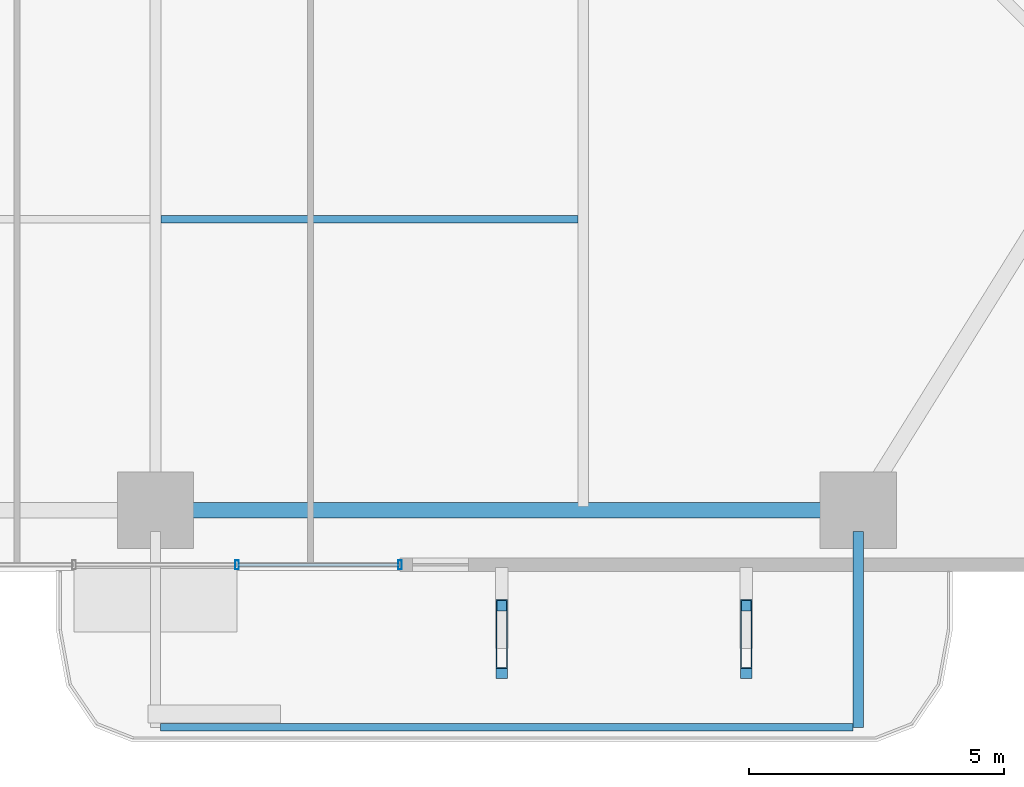
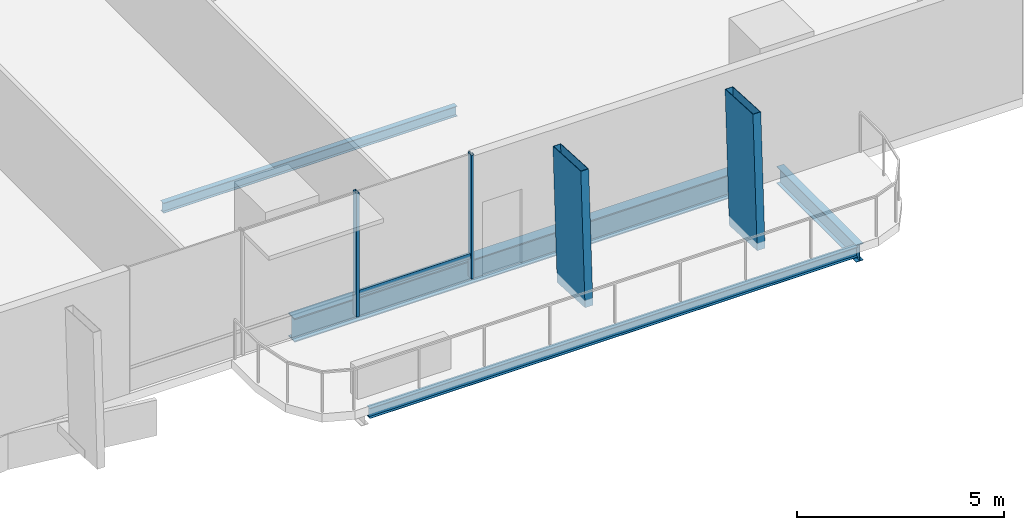
# One storey, part 6 of 24: 5 members, 4 beams, 1 element without a shape of its own.
"""IFC4 building model written with IfcOpenShell, lengths in metres."""

from ifc_helpers import new_model, si_unit, direction, frame, origin, origin_2d, place, context, subcontext, project, spatial, hollow_rectangle, i_section, extrude, material, layer, layer_set, material_profile, profile_set, type_object, element, aggregate, save


model = new_model("IFC4")

# Units and contexts
model_context = context("Model", 3, precision=1e-05, world=origin(), true_north=direction((0.0, 1.0)))
body_context = subcontext(model_context, "Body", "Model", "MODEL_VIEW")
ifc_project = project(units=[si_unit("LENGTHUNIT", "METRE"), si_unit("AREAUNIT", "SQUARE_METRE"), si_unit("VOLUMEUNIT", "CUBIC_METRE"), si_unit("PLANEANGLEUNIT", "RADIAN"), si_unit("MASSUNIT", "GRAM", prefix="KILO")], contexts=[model_context])

# Site, building, storey
site_placement = place(None, origin())
site = spatial("IfcSite", under=ifc_project, at=site_placement, CompositionType="ELEMENT")
building_placement = place(site_placement, origin())
building = spatial("IfcBuilding", under=site, at=building_placement, Name="Belovzor Exchange Tower", CompositionType="ELEMENT")
storey_placement = place(building_placement, frame((0.0, 0.0, 69.0)))
storey = spatial("IfcBuildingStorey", under=building, at=storey_placement, Name="L16", CompositionType="ELEMENT", Elevation=69.0)

# Members
ifc_material_1 = material(Name="Extruded Architectural Terracotta on Steel S355 Carrier", Category="masonry")
ifc_material_profile_1 = material_profile(ifc_material_1, hollow_rectangle(XDim=0.219970703125, YDim=1.35009765625, WallThickness=0.013916015625, at=origin_2d()))
ifc_profile_set_1 = profile_set([ifc_material_profile_1], Name="Extruded Architectural Terracotta on Steel S355 Carrier")
member_type_1 = type_object("IfcMemberType", Name="Base Arc Sweeping Terracotta Pylon Fin 1450", PredefinedType="USERDEFINED", material=ifc_profile_set_1)
for number, where, z_axis, x_axis, name in (
    (1, (35.60009765625, -0.531982421875, -0.25), (0.0, 0.052512896371, 0.998620245997), (-1.0, 0.0, 0.0), "FIN-TC145 Terracotta Facade Fin L16 S3"),
    (2, (40.39990234375, -0.531982421875, -0.25), (0.0, 0.052512896371, 0.998620245997), (-1.0, 0.0, 0.0), "FIN-TC145 Terracotta Facade Fin L16 S4"),
):
    element("IfcMember", number, at=place(storey_placement, frame(where, z_axis=z_axis, x_axis=x_axis)), inside=storey, type_object=member_type_1, Name=name, ObjectType="FIN", PredefinedType="USERDEFINED", context=body_context, shape_type="SweptSolid", body=[
        extrude(hollow_rectangle(XDim=0.219970703125, YDim=1.35009765625, WallThickness=0.013916015625, at=origin_2d()), origin(), (0.0, 0.0, 1.0), 3.9052734375),
    ])

# Beams
ifc_material_2 = material(Name="Steel S355", Category="steel")
ifc_material_profile_2 = material_profile(ifc_material_2, i_section(OverallWidth=0.199951171875, OverallDepth=0.5, WebThickness=0.01025390625, FlangeThickness=0.01611328125, at=origin_2d()))
ifc_profile_set_2 = profile_set([ifc_material_profile_2], Name="Steel S355")
beam_type_1 = type_object("IfcBeamType", Name="Planted Balcony Cantilever Beam IPE 500", PredefinedType="BEAM", material=ifc_profile_set_2)
beam_1_placement = place(storey_placement, frame((42.60009765625, 1.68798828125, -0.5), z_axis=(0.0, -1.0, 0.0), x_axis=(1.0, 0.0, 0.0)))
element("IfcBeam", 3, at=beam_1_placement, inside=storey, type_object=beam_type_1, Name="BC-500 Planted Balcony Cantilever Beam IPE 500", PredefinedType="BEAM", context=body_context, shape_type="SweptSolid", body=[
    extrude(i_section(OverallWidth=0.199951171875, OverallDepth=0.5, WebThickness=0.01025390625, FlangeThickness=0.01611328125, at=origin_2d()), origin(), (0.0, 0.0, 1.0), 3.85009765625),
])
ifc_material_3 = material(Name="Steel S355", Category="steel")
ifc_material_profile_3 = material_profile(ifc_material_3, i_section(OverallWidth=0.14990234375, OverallDepth=0.300048828125, WebThickness=0.007080078125, FlangeThickness=0.0107421875, at=origin_2d()))
ifc_profile_set_3 = profile_set([ifc_material_profile_3], Name="Steel S355")
beam_type_2 = type_object("IfcBeamType", Name="Planted Balcony Fascia Edge Beam IPE 300", PredefinedType="BEAM", material=ifc_profile_set_3)
beam_2_placement = place(storey_placement, frame((28.89990234375, -2.162109375, -0.39990234375), z_axis=(1.0, 0.0, 0.0), x_axis=(0.0, 1.0, 0.0)))
element("IfcBeam", 4, at=beam_2_placement, inside=storey, type_object=beam_type_2, Name="BC-300 Planted Balcony Fascia Edge Beam IPE 300", PredefinedType="BEAM", context=body_context, shape_type="SweptSolid", body=[
    extrude(i_section(OverallWidth=0.14990234375, OverallDepth=0.300048828125, WebThickness=0.007080078125, FlangeThickness=0.0107421875, at=origin_2d()), origin(), (0.0, 0.0, 1.0), 13.60009765625),
])
ifc_material_4 = material(Name="Steel S355", Category="steel")
ifc_material_profile_4 = material_profile(ifc_material_4, i_section(OverallWidth=0.14990234375, OverallDepth=0.300048828125, WebThickness=0.007080078125, FlangeThickness=0.0107421875, at=origin_2d()))
ifc_profile_set_4 = profile_set([ifc_material_profile_4], Name="Steel S355")
beam_type_3 = type_object("IfcBeamType", Name="Secondary Trim Floor Joist IPE 300", PredefinedType="BEAM", material=ifc_profile_set_4)
beam_3_placement = place(storey_placement, frame((28.905029296875, 7.81494140625, -0.39990234375), z_axis=(1.0, 0.0, 0.0), x_axis=(0.0, 1.0, 0.0)))
element("IfcBeam", 5, at=beam_3_placement, inside=storey, type_object=beam_type_3, Name="FJ-300 Secondary Trim Floor Joist IPE 300", PredefinedType="BEAM", context=body_context, shape_type="SweptSolid", body=[
    extrude(i_section(OverallWidth=0.14990234375, OverallDepth=0.300048828125, WebThickness=0.007080078125, FlangeThickness=0.0107421875, at=origin_2d()), origin(), (0.0, 0.0, 1.0), 8.18994140625),
])

# Curtain wall, members
ifc_material_5 = material(Name="Anodised Aluminium Framing", Category="aluminium")
ifc_layer = layer(ifc_material_5, 0.179931640625)
ifc_layer_set = layer_set([ifc_layer], Name="Anodised Aluminium Framing")
curtain_wall_type = type_object("IfcCurtainWallType", Name="Recessed Loggia Low-Iron Triple-Glazed Curtain Wall", PredefinedType="NOTDEFINED", material=ifc_layer_set)
curtain_wall_placement = place(storey_placement, origin())
curtain_wall = element("IfcCurtainWall", 6, at=curtain_wall_placement, inside=storey, type_object=curtain_wall_type, Name="CW3 Recessed Loggia Low-Iron Triple-Glazed Curtain Wall L16", PredefinedType="NOTDEFINED")
ifc_material_6 = material(Name="Steel S355", Category="steel")
ifc_material_profile_5 = material_profile(ifc_material_6, hollow_rectangle(XDim=0.074951171875, YDim=0.179931640625, WallThickness=0.0048828125, at=origin_2d()))
ifc_profile_set_5 = profile_set([ifc_material_profile_5], Name="Steel S355")
member_type_2 = type_object("IfcMemberType", Name="Thermally Broken Curtain Wall Mullion 180x75", PredefinedType="MULLION", material=ifc_profile_set_5)
member_1_placement = place(storey_placement, frame((33.60009765625, 1.030029296875, 0.0), z_axis=(0.0, 0.0, 1.0), x_axis=(-1.0, 0.0, 0.0)))
member_1 = element("IfcMember", 7, at=member_1_placement, type_object=member_type_2, Name="CW-M180 Curtain Wall Mullion 1", PredefinedType="MULLION", context=body_context, shape_type="SweptSolid", body=[
    extrude(hollow_rectangle(XDim=0.074951171875, YDim=0.179931640625, WallThickness=0.0048828125, at=origin_2d()), origin(), (0.0, 0.0, 1.0), 3.64990234375),
])
member_2_placement = place(storey_placement, frame((30.39990234375, 1.030029296875, 0.0), z_axis=(0.0, 0.0, 1.0), x_axis=(-1.0, 0.0, 0.0)))
member_2 = element("IfcMember", 8, at=member_2_placement, type_object=member_type_2, Name="CW-M180 Curtain Wall Mullion 2", PredefinedType="MULLION", context=body_context, shape_type="SweptSolid", body=[
    extrude(hollow_rectangle(XDim=0.074951171875, YDim=0.179931640625, WallThickness=0.0048828125, at=origin_2d()), origin(), (0.0, 0.0, 1.0), 3.64990234375),
])
ifc_material_7 = material(Name="Steel S355", Category="steel")
ifc_material_profile_6 = material_profile(ifc_material_7, hollow_rectangle(XDim=0.06005859375, YDim=0.14990234375, WallThickness=0.00390625, at=origin_2d()))
ifc_profile_set_6 = profile_set([ifc_material_profile_6], Name="Steel S355")
member_type_3 = type_object("IfcMemberType", Name="Thermally Broken Curtain Wall Transom 150x60", PredefinedType="USERDEFINED", material=ifc_profile_set_6)
member_3_placement = place(storey_placement, frame((33.592041015625, 1.030029296875, 0.64990234375), z_axis=(-1.0, 0.0, 0.0), x_axis=(0.0, -1.0, 0.0)))
member_3 = element("IfcMember", 9, at=member_3_placement, type_object=member_type_3, Name="CW-T150 Curtain Wall Transom 1", ObjectType="TRANSOM", PredefinedType="USERDEFINED", context=body_context, shape_type="SweptSolid", body=[
    extrude(hollow_rectangle(XDim=0.06005859375, YDim=0.14990234375, WallThickness=0.00390625, at=origin_2d()), origin(), (0.0, 0.0, 1.0), 3.18408203125),
])
aggregate(curtain_wall, [member_1, member_2, member_3])

# Beam
ifc_material_8 = material(Name="Steel S355", Category="steel")
ifc_material_profile_7 = material_profile(ifc_material_8, i_section(OverallWidth=0.300048828125, OverallDepth=0.699951171875, WebThickness=0.01708984375, FlangeThickness=0.031982421875, at=origin_2d()))
ifc_profile_set_7 = profile_set([ifc_material_profile_7], Name="Steel S355")
beam_type_4 = type_object("IfcBeamType", Name="Zone 1 Primary Perimeter Girder HEB 700", PredefinedType="BEAM", material=ifc_profile_set_7)
beam_4_placement = place(storey_placement, frame((29.212890625, 2.10009765625, -0.60009765625), z_axis=(1.0, 0.0, 0.0), x_axis=(0.0, 1.0, 0.0)))
element("IfcBeam", 10, at=beam_4_placement, inside=storey, type_object=beam_type_4, Name="FG-Z1 Zone 1 Primary Perimeter Girder HEB 700", PredefinedType="BEAM", context=body_context, shape_type="SweptSolid", body=[
    extrude(i_section(OverallWidth=0.300048828125, OverallDepth=0.699951171875, WebThickness=0.01708984375, FlangeThickness=0.031982421875, at=origin_2d()), origin(), (0.0, 0.0, 1.0), 12.97509765625),
])

save(model, "model.ifc")
